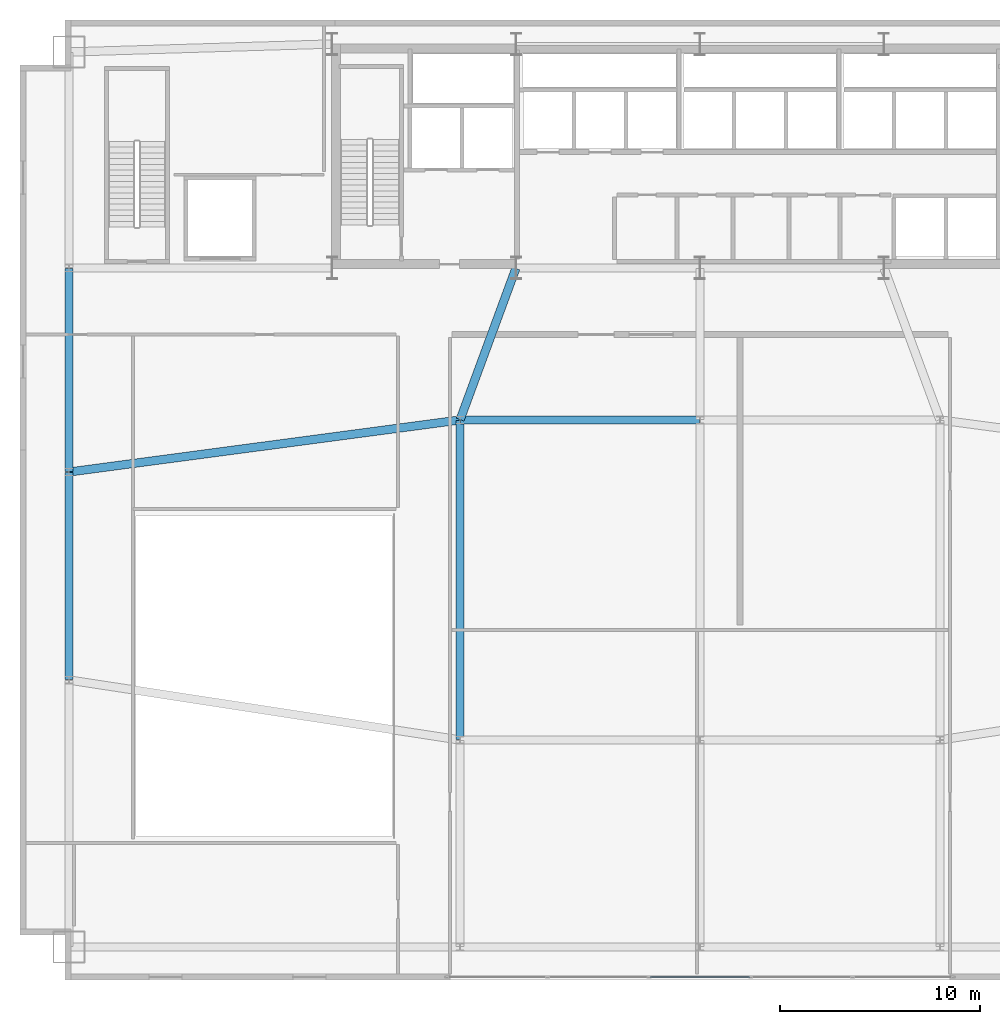
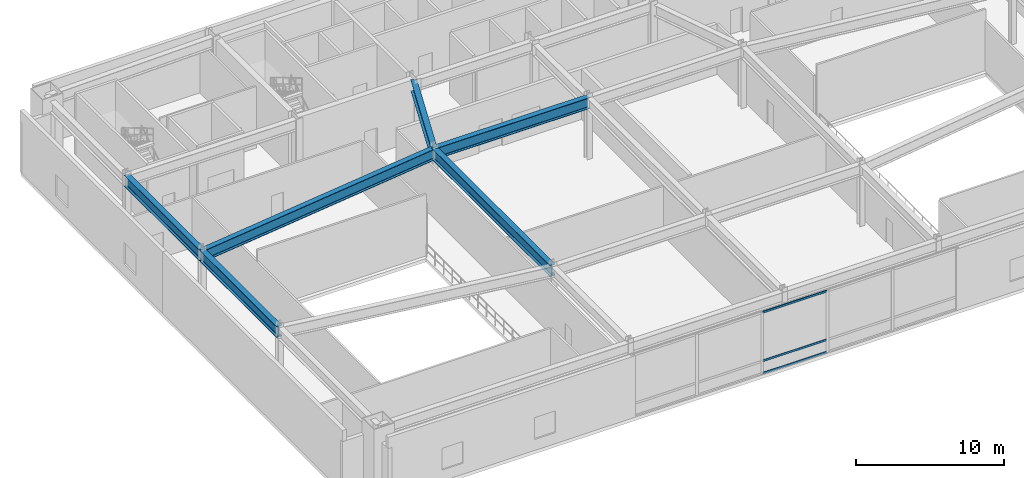
# One storey, part 5 of 13: 6 beams, 3 members, 1 element without a shape of its own.
"""IFC4 building model written with IfcOpenShell, lengths in metres."""

from ifc_helpers import new_model, si_unit, direction, frame, origin, origin_2d, place, context, subcontext, project, spatial, hollow_rectangle, i_section, extrude, source, transform, mapped, material, layer, layer_set, material_profile, profile_set, type_object, type_shapes, element, aggregate, save


model = new_model("IFC4")

# Units and contexts
model_context = context("Model", 3, precision=1e-05, world=origin(), true_north=direction((0.0, 1.0)))
body_context = subcontext(model_context, "Body", "Model", "MODEL_VIEW")
ifc_project = project(units=[si_unit("LENGTHUNIT", "METRE"), si_unit("AREAUNIT", "SQUARE_METRE"), si_unit("VOLUMEUNIT", "CUBIC_METRE"), si_unit("PLANEANGLEUNIT", "RADIAN"), si_unit("MASSUNIT", "GRAM", prefix="KILO")], contexts=[model_context])

# Site, building, storey
site_placement = place(None, origin())
site = spatial("IfcSite", under=ifc_project, at=site_placement, CompositionType="ELEMENT")
building_placement = place(site_placement, origin())
building = spatial("IfcBuilding", under=site, at=building_placement, Name="Varnel Quay Broadcast Tower", CompositionType="ELEMENT")
storey_placement = place(building_placement, frame((0.0, 0.0, 16.800048828125)))
storey = spatial("IfcBuildingStorey", under=building, at=storey_placement, Name="L03", CompositionType="ELEMENT", Elevation=16.800048828125)

# Beams
ifc_material_1 = material(Name="Structural Steel CSA G40.21 350W", Category="steel")
ifc_material_profile_1 = material_profile(ifc_material_1, i_section(OverallWidth=0.41796875, OverallDepth=0.912109375, WebThickness=0.019287109375, FlangeThickness=0.031982421875, FilletRadius=0.02197265625, at=origin_2d()), Name="W920X342")
ifc_profile_set_1 = profile_set([ifc_material_profile_1], Name="Structural Steel CSA G40.21 350W")
beam_type = type_object("IfcBeamType", Name="Girder_W920X342", PredefinedType="BEAM", material=ifc_profile_set_1)
shared_shape_1 = source(origin(), body_context, "Body", "SweptSolid", [
    extrude(i_section(OverallWidth=0.41796875, OverallDepth=0.912109375, WebThickness=0.019287109375, FlangeThickness=0.031982421875, FilletRadius=0.02197265625, at=origin_2d()), origin(), (0.0, 0.0, 1.0), 11.9599609375),
])
beam_1_placement = place(storey_placement, frame((22.02001953125, 28.0, 4.6240234375), z_axis=(1.0, 0.0, 0.0), x_axis=(0.0, 1.0, 0.0)))
element("IfcBeam", 1, at=beam_1_placement, inside=storey, type_object=beam_type, Name="L03 Girder G-STC2", PredefinedType="BEAM", context=body_context, shape_type="MappedRepresentation", body=[
    mapped(shared_shape_1, transform((0.0, 0.0, 0.0), x_axis=(1.0, 0.0, 0.0), y_axis=(0.0, 1.0, 0.0), z_axis=(0.0, 0.0, 1.0), scale=1.0)),
])
shared_shape_2 = source(origin(), body_context, "Body", "SweptSolid", [
    extrude(i_section(OverallWidth=0.41796875, OverallDepth=0.912109375, WebThickness=0.019287109375, FlangeThickness=0.031982421875, FilletRadius=0.02197265625, at=origin_2d()), origin(), (0.0, 0.0, 1.0), 10.35986328125),
])
beam_2_placement = place(storey_placement, frame((2.449951171875, 15.02001953125, 4.6240234375), z_axis=(0.0, 1.0, 0.0), x_axis=(-1.0, 0.0, 0.0)))
element("IfcBeam", 2, at=beam_2_placement, inside=storey, type_object=beam_type, Name="L03 Girder G-PW2", PredefinedType="BEAM", context=body_context, shape_type="MappedRepresentation", body=[
    mapped(shared_shape_2, transform((0.0, 0.0, 0.0), x_axis=(1.0, 0.0, 0.0), y_axis=(0.0, 1.0, 0.0), z_axis=(0.0, 0.0, 1.0), scale=1.0)),
])
shared_shape_3 = source(origin(), body_context, "Body", "SweptSolid", [
    extrude(i_section(OverallWidth=0.41796875, OverallDepth=0.912109375, WebThickness=0.019287109375, FlangeThickness=0.031982421875, FilletRadius=0.02197265625, at=origin_2d()), origin(), (0.0, 0.0, 1.0), 10.16015625),
])
beam_3_placement = place(storey_placement, frame((2.449951171875, 25.419921875, 4.6240234375), z_axis=(0.0, 1.0, 0.0), x_axis=(-1.0, 0.0, 0.0)))
element("IfcBeam", 3, at=beam_3_placement, inside=storey, type_object=beam_type, Name="L03 Girder G-PW3", PredefinedType="BEAM", context=body_context, shape_type="MappedRepresentation", body=[
    mapped(shared_shape_3, transform((0.0, 0.0, 0.0), x_axis=(1.0, 0.0, 0.0), y_axis=(0.0, 1.0, 0.0), z_axis=(0.0, 0.0, 1.0), scale=1.0)),
])
shared_shape_4 = source(origin(), body_context, "Body", "SweptSolid", [
    extrude(i_section(OverallWidth=0.41796875, OverallDepth=0.912109375, WebThickness=0.019287109375, FlangeThickness=0.031982421875, FilletRadius=0.02197265625, at=origin_2d()), origin(), (0.0, 0.0, 1.0), 19.682373046875),
])
beam_4_placement = place(storey_placement, frame((2.4697265625, 25.402587890625, 4.6240234375), z_axis=(0.991272261072, 0.131830589885, 0.0), x_axis=(-0.131830589885, 0.991272261072, 0.0)))
element("IfcBeam", 4, at=beam_4_placement, inside=storey, type_object=beam_type, Name="L03 Girder G-STA2", PredefinedType="BEAM", context=body_context, shape_type="MappedRepresentation", body=[
    mapped(shared_shape_4, transform((0.0, 0.0, 0.0), x_axis=(1.0, 0.0, 0.0), y_axis=(0.0, 1.0, 0.0), z_axis=(0.0, 0.0, 1.0), scale=1.0)),
])
shared_shape_5 = source(origin(), body_context, "Body", "SweptSolid", [
    extrude(i_section(OverallWidth=0.41796875, OverallDepth=0.912109375, WebThickness=0.019287109375, FlangeThickness=0.031982421875, FilletRadius=0.02197265625, at=origin_2d()), origin(), (0.0, 0.0, 1.0), 15.9599609375),
])
beam_5_placement = place(storey_placement, frame((22.0, 12.02001953125, 4.6240234375), z_axis=(0.0, 1.0, 0.0), x_axis=(-1.0, 0.0, 0.0)))
element("IfcBeam", 5, at=beam_5_placement, inside=storey, type_object=beam_type, Name="L03 Girder G-M2", PredefinedType="BEAM", context=body_context, shape_type="MappedRepresentation", body=[
    mapped(shared_shape_5, transform((0.0, 0.0, 0.0), x_axis=(1.0, 0.0, 0.0), y_axis=(0.0, 1.0, 0.0), z_axis=(0.0, 0.0, 1.0), scale=1.0)),
])
shared_shape_6 = source(origin(), body_context, "Body", "SweptSolid", [
    extrude(i_section(OverallWidth=0.41796875, OverallDepth=0.912109375, WebThickness=0.019287109375, FlangeThickness=0.031982421875, FilletRadius=0.02197265625, at=origin_2d()), origin(), (0.0, 0.0, 1.0), 8.0595703125),
])
type_shapes(beam_type, [shared_shape_1, shared_shape_2, shared_shape_3, shared_shape_4, shared_shape_5, shared_shape_6])
beam_6_placement = place(storey_placement, frame((22.0068359375, 28.018798828125, 4.6240234375), z_axis=(0.345726415607, 0.938335358788, 0.0), x_axis=(-0.938335358788, 0.345726415607, 0.0)))
element("IfcBeam", 6, at=beam_6_placement, inside=storey, type_object=beam_type, Name="L03 Girder G-C1", PredefinedType="BEAM", context=body_context, shape_type="MappedRepresentation", body=[
    mapped(shared_shape_6, transform((0.0, 0.0, 0.0), x_axis=(1.0, 0.0, 0.0), y_axis=(0.0, 1.0, 0.0), z_axis=(0.0, 0.0, 1.0), scale=1.0)),
])

# Curtain wall, members
ifc_material_2 = material(Name="Anodised Bronze Aluminium 6063-T6", Category="aluminium")
ifc_layer = layer(ifc_material_2, 0.18994140625, Name="Anodised Bronze Aluminium 6063-T6")
ifc_layer_set = layer_set([ifc_layer], Name="Anodised Bronze Aluminium 6063-T6")
curtain_wall_type = type_object("IfcCurtainWallType", Name="CW_PodiumForum", PredefinedType="NOTDEFINED", material=ifc_layer_set)
curtain_wall_placement = place(storey_placement, origin())
curtain_wall = element("IfcCurtainWall", 7, at=curtain_wall_placement, inside=storey, type_object=curtain_wall_type, Name="L03 Waterfront Forum Curtain Wall", PredefinedType="NOTDEFINED")
ifc_material_profile_2 = material_profile(ifc_material_2, hollow_rectangle(XDim=0.06494140625, YDim=0.1650390625, WallThickness=0.00341796875, at=origin_2d()), Name="ALU65X165X3.5")
ifc_profile_set_2 = profile_set([ifc_material_profile_2], Name="Anodised Bronze Aluminium 6063-T6")
member_type = type_object("IfcMemberType", Name="Tran_CWS-01", PredefinedType="USERDEFINED", material=ifc_profile_set_2)
shared_shape_7 = source(origin(), body_context, "Body", "SweptSolid", [
    extrude(hollow_rectangle(XDim=0.06494140625, YDim=0.1650390625, WallThickness=0.00341796875, at=origin_2d()), origin(), (0.0, 0.0, 1.0), 5.0048828125),
])
type_shapes(member_type, [shared_shape_7])
member_1_placement = place(storey_placement, frame((31.49755859375, 0.14990234375, 0.032470703125), z_axis=(1.0, 0.0, 0.0), x_axis=(0.0, 1.0, 0.0)))
member_1 = element("IfcMember", 8, at=member_1_placement, type_object=member_type, Name="CWS-01 transom 3.1", ObjectType="TRANSOM", PredefinedType="USERDEFINED", context=body_context, shape_type="MappedRepresentation", body=[
    mapped(shared_shape_7, transform((0.0, 0.0, 0.0), x_axis=(1.0, 0.0, 0.0), y_axis=(0.0, 1.0, 0.0), z_axis=(0.0, 0.0, 1.0), scale=1.0)),
])
member_2_placement = place(storey_placement, frame((31.49755859375, 0.14990234375, 1.050048828125), z_axis=(1.0, 0.0, 0.0), x_axis=(0.0, 1.0, 0.0)))
member_2 = element("IfcMember", 9, at=member_2_placement, type_object=member_type, Name="CWS-01 transom 3.2", ObjectType="TRANSOM", PredefinedType="USERDEFINED", context=body_context, shape_type="MappedRepresentation", body=[
    mapped(shared_shape_7, transform((0.0, 0.0, 0.0), x_axis=(1.0, 0.0, 0.0), y_axis=(0.0, 1.0, 0.0), z_axis=(0.0, 0.0, 1.0), scale=1.0)),
])
member_3_placement = place(storey_placement, frame((31.49755859375, 0.14990234375, 5.04736328125), z_axis=(1.0, 0.0, 0.0), x_axis=(0.0, 1.0, 0.0)))
member_3 = element("IfcMember", 10, at=member_3_placement, type_object=member_type, Name="CWS-01 transom 3.3", ObjectType="TRANSOM", PredefinedType="USERDEFINED", context=body_context, shape_type="MappedRepresentation", body=[
    mapped(shared_shape_7, transform((0.0, 0.0, 0.0), x_axis=(1.0, 0.0, 0.0), y_axis=(0.0, 1.0, 0.0), z_axis=(0.0, 0.0, 1.0), scale=1.0)),
])
aggregate(curtain_wall, [member_1, member_2, member_3])

save(model, "model.ifc")
